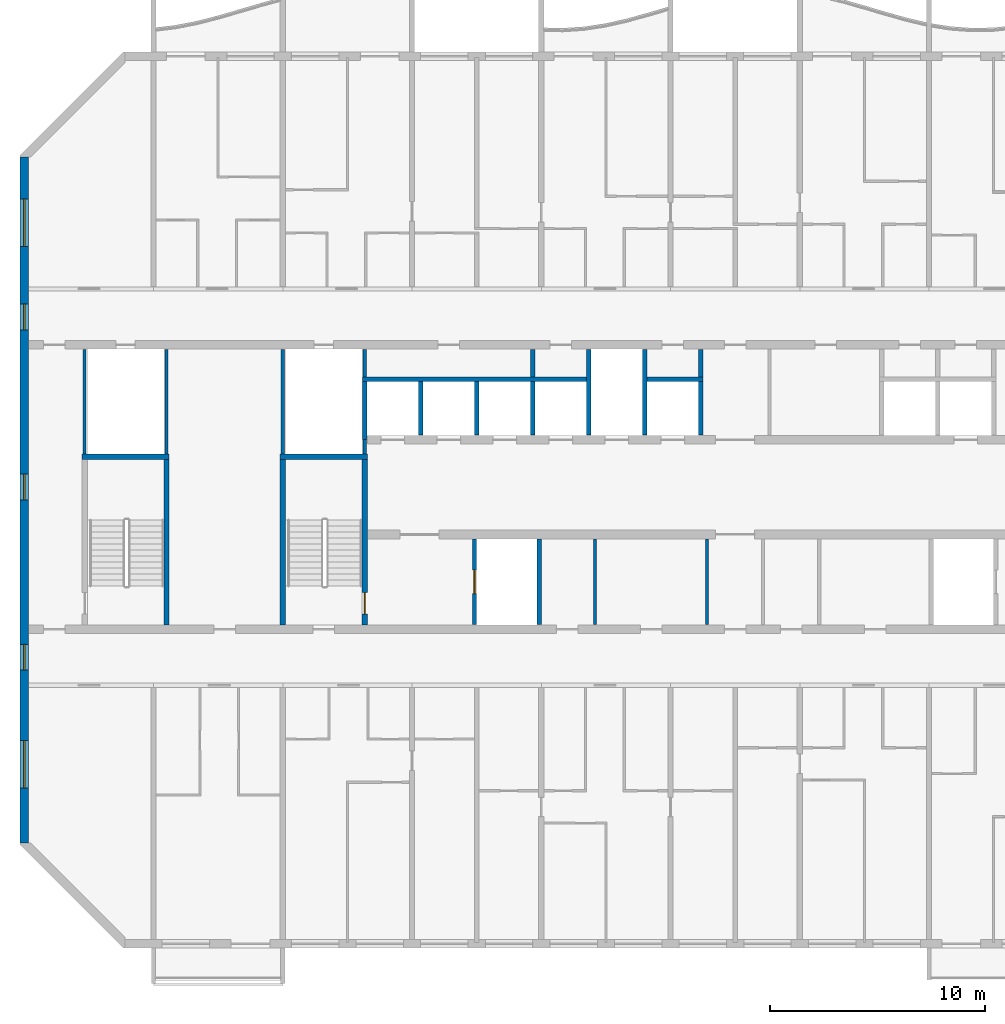
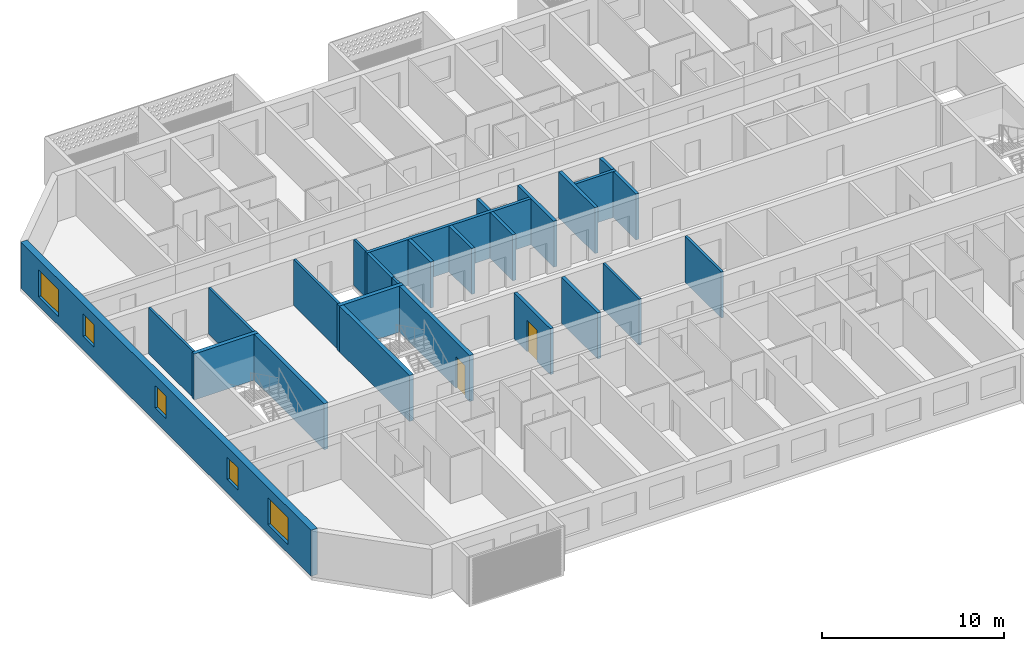
# One storey, part 3 of 28: 26 walls, 5 windows, 2 doors, 7 openings.
"""IFC4 building model written with IfcOpenShell, lengths in metres."""

from ifc_helpers import new_model, si_unit, direction, frame, frame_2d, origin, place, context, subcontext, project, spatial, rectangle, extrude, material, layer, layer_set, type_object, element, fill, save


model = new_model("IFC4")

# Units and contexts
model_context = context("Model", 3, precision=1e-05, world=origin(), true_north=direction((0.0, 1.0)))
body_context = subcontext(model_context, "Body", "Model", "MODEL_VIEW")
ifc_project = project(units=[si_unit("LENGTHUNIT", "METRE"), si_unit("AREAUNIT", "SQUARE_METRE"), si_unit("VOLUMEUNIT", "CUBIC_METRE"), si_unit("PLANEANGLEUNIT", "RADIAN"), si_unit("MASSUNIT", "GRAM", prefix="KILO")], contexts=[model_context])

# Site, building, storey
site_placement = place(None, origin())
site = spatial("IfcSite", under=ifc_project, at=site_placement, CompositionType="ELEMENT")
building_placement = place(site_placement, origin())
building = spatial("IfcBuilding", under=site, at=building_placement, Name="Poui Terraces", CompositionType="ELEMENT")
storey_placement = place(building_placement, frame((0.0, 0.0, 185.10009765625)))
storey = spatial("IfcBuildingStorey", under=building, at=storey_placement, Name="L51", CompositionType="ELEMENT", Elevation=185.10009765625)

# Wall
ifc_material_1 = material(Name="Fire-rated plasterboard wall")
ifc_layer_1 = layer(ifc_material_1, 0.14990234375)
ifc_layer_set_1 = layer_set([ifc_layer_1], Name="Fire-rated plasterboard wall")
wall_type_1 = type_object("IfcWallType", Name="CORRIDOR WALL 150", PredefinedType="PARTITIONING", material=ifc_layer_set_1)
wall_1_placement = place(storey_placement, frame((49.699951171875, 14.81005859375, 0.0), z_axis=(0.0, 0.0, 1.0), x_axis=(0.0, 1.0, 0.0)))
element("IfcWall", 1, at=wall_1_placement, inside=storey, type_object=wall_type_1, Name="CORRIDOR WALL 150", PredefinedType="PARTITIONING", context=body_context, shape_type="SweptSolid", body=[
    extrude(rectangle(XDim=3.97998046875, YDim=0.14990234375, at=frame_2d((1.989990234375, 0.0))), origin(), (0.0, 0.0, 1.0), 3.079833984375),
])

# Wall, openings, windows
ifc_material_2 = material(Name="Concrete 50 MPa", Category="concrete")
ifc_layer_2 = layer(ifc_material_2, 0.39990234375)
ifc_layer_set_2 = layer_set([ifc_layer_2], Name="Concrete 50 MPa")
wall_type_2 = type_object("IfcWallType", Name="END WALL 400 50MPa", PredefinedType="SHEAR", material=ifc_layer_set_2)
wall_2_placement = place(storey_placement, frame((18.0, 4.682861328125, 0.0), z_axis=(0.0, 0.0, 1.0), x_axis=(0.0, 1.0, 0.0)))
wall_2 = element("IfcWall", 2, at=wall_2_placement, inside=storey, type_object=wall_type_2, Name="END WALL WEST", PredefinedType="SHEAR", context=body_context, shape_type="SweptSolid", body=[
    extrude(rectangle(XDim=31.834228515625, YDim=0.39990234375, at=frame_2d((15.9169921875, 0.0))), origin(), (0.0, 0.0, 1.0), 3.079833984375),
])
opening_1_placement = place(wall_2_placement, frame((23.817138671875, 0.0, 0.89990234375)))
opening_1 = element("IfcOpeningElement", 3, at=opening_1_placement, cuts=wall_2, Name="Opening W2", PredefinedType="OPENING", context=body_context, shape_type="SweptSolid", body=[
    extrude(rectangle(XDim=1.199951171875, YDim=1.5, at=frame_2d((0.60009765625, 0.75))), frame((0.0, 0.2099609375, 0.0), z_axis=(0.0, -1.0, 0.0), x_axis=(1.0, 0.0, 0.0)), (0.0, 0.0, 1.0), 0.419921875),
])
opening_2_placement = place(wall_2_placement, frame((8.01708984375, 0.0, 0.89990234375)))
opening_2 = element("IfcOpeningElement", 4, at=opening_2_placement, cuts=wall_2, Name="Opening W2", PredefinedType="OPENING", context=body_context, shape_type="SweptSolid", body=[
    extrude(rectangle(XDim=1.199951171875, YDim=1.5, at=frame_2d((0.60009765625, 0.75))), frame((0.0, 0.2099609375, 0.0), z_axis=(0.0, -1.0, 0.0), x_axis=(1.0, 0.0, 0.0)), (0.0, 0.0, 1.0), 0.419921875),
])
opening_3_placement = place(wall_2_placement, frame((27.693603515625, 0.0, 0.60009765625)))
opening_3 = element("IfcOpeningElement", 5, at=opening_3_placement, cuts=wall_2, Name="Opening W3", PredefinedType="OPENING", context=body_context, shape_type="SweptSolid", body=[
    extrude(rectangle(XDim=2.199951171875, YDim=1.800048828125, at=frame_2d((1.10009765625, 0.89990234375))), frame((0.0, 0.2099609375, 0.0), z_axis=(0.0, -1.0, 0.0), x_axis=(1.0, 0.0, 0.0)), (0.0, 0.0, 1.0), 0.419921875),
])
opening_4_placement = place(wall_2_placement, frame((2.541015625, 0.0, 0.60009765625)))
opening_4 = element("IfcOpeningElement", 6, at=opening_4_placement, cuts=wall_2, Name="Opening W3", PredefinedType="OPENING", context=body_context, shape_type="SweptSolid", body=[
    extrude(rectangle(XDim=2.199951171875, YDim=1.800048828125, at=frame_2d((1.10009765625, 0.89990234375))), frame((0.0, 0.2099609375, 0.0), z_axis=(0.0, -1.0, 0.0), x_axis=(1.0, 0.0, 0.0)), (0.0, 0.0, 1.0), 0.419921875),
])
opening_5_placement = place(wall_2_placement, frame((15.917236328125, 0.0, 0.89990234375)))
opening_5 = element("IfcOpeningElement", 7, at=opening_5_placement, cuts=wall_2, Name="Opening W2", PredefinedType="OPENING", context=body_context, shape_type="SweptSolid", body=[
    extrude(rectangle(XDim=1.199951171875, YDim=1.5, at=frame_2d((0.60009765625, 0.75))), frame((0.0, 0.2099609375, 0.0), z_axis=(0.0, -1.0, 0.0), x_axis=(1.0, 0.0, 0.0)), (0.0, 0.0, 1.0), 0.419921875),
])
ifc_material_3 = material(Name="Clear glass in aluminium frame", Category="aluminium")
window_type_1 = type_object("IfcWindowType", Name="WINDOW 1200X1500", PartitioningType="SINGLE_PANEL", PredefinedType="WINDOW", material=ifc_material_3)
window_1_placement = place(opening_1_placement, origin())
window_1 = element("IfcWindow", 8, at=window_1_placement, inside=storey, type_object=window_type_1, Name="W2 WINDOW", OverallHeight=1.5, OverallWidth=1.199951171875, PartitioningType="SINGLE_PANEL", PredefinedType="WINDOW", context=body_context, shape_type="SweptSolid", body=[
    extrude(rectangle(XDim=1.199951171875, YDim=1.5, at=frame_2d((0.60009765625, 0.75))), frame((0.0, 0.030029296875, 0.0), z_axis=(0.0, -1.0, 0.0), x_axis=(1.0, 0.0, 0.0)), (0.0, 0.0, 1.0), 0.06005859375),
])
fill(opening_1, window_1)
window_2_placement = place(opening_2_placement, origin())
window_2 = element("IfcWindow", 9, at=window_2_placement, inside=storey, type_object=window_type_1, Name="W2 WINDOW", OverallHeight=1.5, OverallWidth=1.199951171875, PartitioningType="SINGLE_PANEL", PredefinedType="WINDOW", context=body_context, shape_type="SweptSolid", body=[
    extrude(rectangle(XDim=1.199951171875, YDim=1.5, at=frame_2d((0.60009765625, 0.75))), frame((0.0, 0.030029296875, 0.0), z_axis=(0.0, -1.0, 0.0), x_axis=(1.0, 0.0, 0.0)), (0.0, 0.0, 1.0), 0.06005859375),
])
fill(opening_2, window_2)
window_3_placement = place(opening_5_placement, origin())
window_3 = element("IfcWindow", 10, at=window_3_placement, inside=storey, type_object=window_type_1, Name="W2 WINDOW", OverallHeight=1.5, OverallWidth=1.199951171875, PartitioningType="SINGLE_PANEL", PredefinedType="WINDOW", context=body_context, shape_type="SweptSolid", body=[
    extrude(rectangle(XDim=1.199951171875, YDim=1.5, at=frame_2d((0.60009765625, 0.75))), frame((0.0, 0.030029296875, 0.0), z_axis=(0.0, -1.0, 0.0), x_axis=(1.0, 0.0, 0.0)), (0.0, 0.0, 1.0), 0.06005859375),
])
fill(opening_5, window_3)
window_type_2 = type_object("IfcWindowType", Name="WINDOW 2200X1800", PartitioningType="DOUBLE_PANEL_HORIZONTAL", PredefinedType="WINDOW", material=ifc_material_3)
window_4_placement = place(opening_3_placement, origin())
window_4 = element("IfcWindow", 11, at=window_4_placement, inside=storey, type_object=window_type_2, Name="W3 WINDOW", OverallHeight=1.800048828125, OverallWidth=2.199951171875, PartitioningType="DOUBLE_PANEL_HORIZONTAL", PredefinedType="WINDOW", context=body_context, shape_type="SweptSolid", body=[
    extrude(rectangle(XDim=2.199951171875, YDim=1.800048828125, at=frame_2d((1.10009765625, 0.89990234375))), frame((0.0, 0.030029296875, 0.0), z_axis=(0.0, -1.0, 0.0), x_axis=(1.0, 0.0, 0.0)), (0.0, 0.0, 1.0), 0.06005859375),
])
fill(opening_3, window_4)
window_5_placement = place(opening_4_placement, origin())
window_5 = element("IfcWindow", 12, at=window_5_placement, inside=storey, type_object=window_type_2, Name="W3 WINDOW", OverallHeight=1.800048828125, OverallWidth=2.199951171875, PartitioningType="DOUBLE_PANEL_HORIZONTAL", PredefinedType="WINDOW", context=body_context, shape_type="SweptSolid", body=[
    extrude(rectangle(XDim=2.199951171875, YDim=1.800048828125, at=frame_2d((1.10009765625, 0.89990234375))), frame((0.0, 0.030029296875, 0.0), z_axis=(0.0, -1.0, 0.0), x_axis=(1.0, 0.0, 0.0)), (0.0, 0.0, 1.0), 0.06005859375),
])
fill(opening_4, window_5)

# Walls
ifc_material_4 = material(Name="Plasterboard partition")
ifc_layer_3 = layer(ifc_material_4, 0.14990234375)
ifc_layer_set_3 = layer_set([ifc_layer_3], Name="Plasterboard partition")
wall_type_3 = type_object("IfcWallType", Name="PARTITION WALL 150", PredefinedType="PARTITIONING", material=ifc_layer_set_3)
wall_3_placement = place(storey_placement, frame((44.5, 14.81005859375, 0.0), z_axis=(0.0, 0.0, 1.0), x_axis=(0.0, 1.0, 0.0)))
element("IfcWall", 13, at=wall_3_placement, inside=storey, type_object=wall_type_3, Name="PARTITION WALL 150", PredefinedType="PARTITIONING", context=body_context, shape_type="SweptSolid", body=[
    extrude(rectangle(XDim=3.97998046875, YDim=0.14990234375, at=frame_2d((1.989990234375, 0.0))), origin(), (0.0, 0.0, 1.0), 3.079833984375),
])
ifc_material_5 = material(Name="Fire-rated masonry wall", Category="masonry")
ifc_layer_4 = layer(ifc_material_5, 0.199951171875)
ifc_layer_set_4 = layer_set([ifc_layer_4], Name="Fire-rated masonry wall")
wall_type_4 = type_object("IfcWallType", Name="PLANT ROOM WALL 200", PredefinedType="PARTITIONING", material=ifc_layer_set_4)
for number, where, z_axis, x_axis, name in (
    (14, (41.60009765625, 26.300048828125, 0.0), (0.0, 0.0, 1.0), (0.0, 1.0, 0.0), "PLANT ROOM WALL 200"),
    (15, (49.39990234375, 26.300048828125, 0.0), (0.0, 0.0, 1.0), (0.0, 1.0, 0.0), "PLANT ROOM WALL 200"),
):
    element("IfcWall", number, at=place(storey_placement, frame(where, z_axis=z_axis, x_axis=x_axis)), inside=storey, type_object=wall_type_4, Name=name, PredefinedType="PARTITIONING", context=body_context, shape_type="SweptSolid", body=[
        extrude(rectangle(XDim=1.2900390625, YDim=0.199951171875, at=frame_2d((0.64501953125, 0.0))), origin(), (0.0, 0.0, 1.0), 3.079833984375),
    ])
ifc_material_6 = material(Name="Fire-rated plasterboard riser wall")
ifc_layer_5 = layer(ifc_material_6, 0.14990234375)
ifc_layer_set_5 = layer_set([ifc_layer_5], Name="Fire-rated plasterboard riser wall")
wall_type_5 = type_object("IfcWallType", Name="RISER WALL 150", PredefinedType="PARTITIONING", material=ifc_layer_set_5)
for number, where, z_axis, x_axis, name in (
    (16, (20.800048828125, 22.735107421875, 0.0), (0.0, 0.0, 1.0), (0.0, 1.0, 0.0), "RISER WALL 150"),
    (17, (24.60009765625, 22.735107421875, 0.0), (0.0, 0.0, 1.0), (0.0, 1.0, 0.0), "RISER WALL 150"),
    (18, (30.0, 22.735107421875, 0.0), (0.0, 0.0, 1.0), (0.0, 1.0, 0.0), "RISER WALL 150"),
):
    element("IfcWall", number, at=place(storey_placement, frame(where, z_axis=z_axis, x_axis=x_axis)), inside=storey, type_object=wall_type_5, Name=name, PredefinedType="PARTITIONING", context=body_context, shape_type="SweptSolid", body=[
        extrude(rectangle(XDim=4.85498046875, YDim=0.14990234375, at=frame_2d((2.427490234375, 0.0))), origin(), (0.0, 0.0, 1.0), 3.079833984375),
    ])
wall_4_placement = place(storey_placement, frame((33.800048828125, 22.735107421875, 0.0), z_axis=(0.0, 0.0, 1.0), x_axis=(0.0, 1.0, 0.0)))
element("IfcWall", 19, at=wall_4_placement, inside=storey, type_object=wall_type_5, Name="RISER WALL 150", PredefinedType="PARTITIONING", context=body_context, shape_type="SweptSolid", body=[
    extrude(rectangle(XDim=0.664794921875, YDim=0.14990234375, at=frame_2d((0.33251953125, 0.0))), origin(), (0.0, 0.0, 1.0), 3.079833984375),
])
wall_5_placement = place(storey_placement, frame((33.800048828125, 26.300048828125, 0.0), z_axis=(0.0, 0.0, 1.0), x_axis=(0.0, 1.0, 0.0)))
element("IfcWall", 20, at=wall_5_placement, inside=storey, type_object=wall_type_5, Name="RISER WALL 150", PredefinedType="PARTITIONING", context=body_context, shape_type="SweptSolid", body=[
    extrude(rectangle(XDim=1.2900390625, YDim=0.14990234375, at=frame_2d((0.64501953125, 0.0))), origin(), (0.0, 0.0, 1.0), 3.079833984375),
])
ifc_material_7 = material(Name="Fire-rated masonry shaft wall", Category="masonry")
ifc_layer_6 = layer(ifc_material_7, 0.199951171875)
ifc_layer_set_6 = layer_set([ifc_layer_6], Name="Fire-rated masonry shaft wall")
wall_type_6 = type_object("IfcWallType", Name="SHAFT WALL 200", PredefinedType="PARTITIONING", material=ifc_layer_set_6)
wall_6_placement = place(storey_placement, frame((33.699951171875, 26.199951171875, 0.0), z_axis=(0.0, 0.0, 1.0), x_axis=(1.0, 0.0, 0.0)))
element("IfcWall", 21, at=wall_6_placement, inside=storey, type_object=wall_type_6, Name="SHAFT WALL 200", PredefinedType="PARTITIONING", context=body_context, shape_type="SweptSolid", body=[
    extrude(rectangle(XDim=10.400146484375, YDim=0.199951171875, at=frame_2d((5.2001953125, 0.0))), origin(), (0.0, 0.0, 1.0), 3.079833984375),
])
wall_7_placement = place(storey_placement, frame((46.89990234375, 26.199951171875, 0.0), z_axis=(0.0, 0.0, 1.0), x_axis=(1.0, 0.0, 0.0)))
element("IfcWall", 22, at=wall_7_placement, inside=storey, type_object=wall_type_6, Name="SHAFT WALL 200", PredefinedType="PARTITIONING", context=body_context, shape_type="SweptSolid", body=[
    extrude(rectangle(XDim=2.60009765625, YDim=0.199951171875, at=frame_2d((1.300048828125, 0.0))), origin(), (0.0, 0.0, 1.0), 3.079833984375),
])
wall_8_placement = place(storey_placement, frame((33.800048828125, 23.39990234375, 0.0), z_axis=(0.0, 0.0, 1.0), x_axis=(0.0, 1.0, 0.0)))
element("IfcWall", 23, at=wall_8_placement, inside=storey, type_object=wall_type_6, Name="SHAFT WALL 200", PredefinedType="PARTITIONING", context=body_context, shape_type="SweptSolid", body=[
    extrude(rectangle(XDim=2.7001953125, YDim=0.199951171875, at=frame_2d((1.35009765625, 0.0))), origin(), (0.0, 0.0, 1.0), 3.079833984375),
])
wall_9_placement = place(storey_placement, frame((36.39990234375, 23.610107421875, 0.0), z_axis=(0.0, 0.0, 1.0), x_axis=(0.0, 1.0, 0.0)))
element("IfcWall", 24, at=wall_9_placement, inside=storey, type_object=wall_type_6, Name="SHAFT WALL 200", PredefinedType="PARTITIONING", context=body_context, shape_type="SweptSolid", body=[
    extrude(rectangle(XDim=2.489990234375, YDim=0.199951171875, at=frame_2d((1.2451171875, 0.0))), origin(), (0.0, 0.0, 1.0), 3.079833984375),
])

# Wall, opening, door
wall_10_placement = place(storey_placement, frame((38.89990234375, 14.81005859375, 0.0), z_axis=(0.0, 0.0, 1.0), x_axis=(0.0, 1.0, 0.0)))
wall_10 = element("IfcWall", 25, at=wall_10_placement, inside=storey, type_object=wall_type_6, Name="SHAFT WALL 200", PredefinedType="PARTITIONING", context=body_context, shape_type="SweptSolid", body=[
    extrude(rectangle(XDim=3.97998046875, YDim=0.199951171875, at=frame_2d((1.989990234375, 0.0))), origin(), (0.0, 0.0, 1.0), 3.079833984375),
])
opening_6_placement = place(wall_10_placement, frame((1.43994140625, 0.0, 0.0)))
opening_6 = element("IfcOpeningElement", 26, at=opening_6_placement, cuts=wall_10, Name="Opening LD", PredefinedType="OPENING", context=body_context, shape_type="SweptSolid", body=[
    extrude(rectangle(XDim=1.10009765625, YDim=2.10009765625, at=frame_2d((0.550048828125, 1.050048828125))), frame((0.0, 0.10986328125, 0.0), z_axis=(0.0, -1.0, 0.0), x_axis=(1.0, 0.0, 0.0)), (0.0, 0.0, 1.0), 0.219970703125),
])
ifc_material_8 = material(Name="Stainless steel sliding door", Category="steel")
door_type_1 = type_object("IfcDoorType", Name="LIFT LANDING DOOR 1100 X 2100", OperationType="DOUBLE_DOOR_SLIDING", PredefinedType="DOOR", material=ifc_material_8)
door_1_placement = place(opening_6_placement, origin())
door_1 = element("IfcDoor", 27, at=door_1_placement, inside=storey, type_object=door_type_1, Name="LANDING DOOR", OperationType="DOUBLE_DOOR_SLIDING", OverallHeight=2.10009765625, OverallWidth=1.10009765625, PredefinedType="DOOR", context=body_context, shape_type="SweptSolid", body=[
    extrude(rectangle(XDim=1.10009765625, YDim=2.10009765625, at=frame_2d((0.550048828125, 1.050048828125))), frame((0.0, 0.02490234375, 0.0), z_axis=(0.0, -1.0, 0.0), x_axis=(1.0, 0.0, 0.0)), (0.0, 0.0, 1.0), 0.050048828125),
])
fill(opening_6, door_1)

# Walls
for number, where, z_axis, x_axis, name in (
    (28, (39.0, 23.610107421875, 0.0), (0.0, 0.0, 1.0), (0.0, 1.0, 0.0), "SHAFT WALL 200"),
    (29, (41.60009765625, 23.610107421875, 0.0), (0.0, 0.0, 1.0), (0.0, 1.0, 0.0), "SHAFT WALL 200"),
):
    element("IfcWall", number, at=place(storey_placement, frame(where, z_axis=z_axis, x_axis=x_axis)), inside=storey, type_object=wall_type_6, Name=name, PredefinedType="PARTITIONING", context=body_context, shape_type="SweptSolid", body=[
        extrude(rectangle(XDim=2.489990234375, YDim=0.199951171875, at=frame_2d((1.2451171875, 0.0))), origin(), (0.0, 0.0, 1.0), 3.079833984375),
    ])
for number, where, z_axis, x_axis, name in (
    (30, (41.89990234375, 14.81005859375, 0.0), (0.0, 0.0, 1.0), (0.0, 1.0, 0.0), "SHAFT WALL 200"),
    (31, (44.199951171875, 23.610107421875, 0.0), (0.0, 0.0, 1.0), (0.0, 1.0, 0.0), "SHAFT WALL 200"),
    (32, (46.800048828125, 23.610107421875, 0.0), (0.0, 0.0, 1.0), (0.0, 1.0, 0.0), "SHAFT WALL 200"),
):
    element("IfcWall", number, at=place(storey_placement, frame(where, z_axis=z_axis, x_axis=x_axis)), inside=storey, type_object=wall_type_6, Name=name, PredefinedType="PARTITIONING", context=body_context, shape_type="SweptSolid", body=[
        extrude(rectangle(XDim=3.97998046875, YDim=0.199951171875, at=frame_2d((1.989990234375, 0.0))), origin(), (0.0, 0.0, 1.0), 3.079833984375),
    ])
wall_11_placement = place(storey_placement, frame((49.39990234375, 23.610107421875, 0.0), z_axis=(0.0, 0.0, 1.0), x_axis=(0.0, 1.0, 0.0)))
element("IfcWall", 33, at=wall_11_placement, inside=storey, type_object=wall_type_6, Name="SHAFT WALL 200", PredefinedType="PARTITIONING", context=body_context, shape_type="SweptSolid", body=[
    extrude(rectangle(XDim=2.489990234375, YDim=0.199951171875, at=frame_2d((1.2451171875, 0.0))), origin(), (0.0, 0.0, 1.0), 3.079833984375),
])
ifc_layer_7 = layer(ifc_material_2, 0.25)
ifc_layer_set_7 = layer_set([ifc_layer_7], Name="Concrete 50 MPa")
wall_type_7 = type_object("IfcWallType", Name="STAIR CORE WALL 250 50 MPA", PredefinedType="SOLIDWALL", material=ifc_layer_set_7)
wall_12_placement = place(storey_placement, frame((30.0, 14.800048828125, 0.0), z_axis=(0.0, 0.0, 1.0), x_axis=(0.0, 1.0, 0.0)))
element("IfcWall", 34, at=wall_12_placement, inside=storey, type_object=wall_type_7, Name="STAIR CORE WALL", PredefinedType="SOLIDWALL", context=body_context, shape_type="SweptSolid", body=[
    extrude(rectangle(XDim=7.675048828125, YDim=0.25, at=frame_2d((3.83740234375, 0.0))), origin(), (0.0, 0.0, 1.0), 3.079833984375),
])

# Wall, opening, door
wall_13_placement = place(storey_placement, frame((33.800048828125, 14.800048828125, 0.0), z_axis=(0.0, 0.0, 1.0), x_axis=(0.0, 1.0, 0.0)))
wall_13 = element("IfcWall", 35, at=wall_13_placement, inside=storey, type_object=wall_type_7, Name="STAIR CORE WALL", PredefinedType="SOLIDWALL", context=body_context, shape_type="SweptSolid", body=[
    extrude(rectangle(XDim=7.675048828125, YDim=0.25, at=frame_2d((3.83740234375, 0.0))), origin(), (0.0, 0.0, 1.0), 3.079833984375),
])
opening_7_placement = place(wall_13_placement, frame((0.5, 0.0, 0.0)))
opening_7 = element("IfcOpeningElement", 36, at=opening_7_placement, cuts=wall_13, Name="Opening FD60S", PredefinedType="OPENING", context=body_context, shape_type="SweptSolid", body=[
    extrude(rectangle(XDim=1.0, YDim=2.10009765625, at=frame_2d((0.5, 1.050048828125))), frame((0.0, 0.135009765625, 0.0), z_axis=(0.0, -1.0, 0.0), x_axis=(1.0, 0.0, 0.0)), (0.0, 0.0, 1.0), 0.27001953125),
])
ifc_material_9 = material(Name="Steel fire door", Category="steel")
door_type_2 = type_object("IfcDoorType", Name="STAIR DOOR 1000 X 2100", OperationType="NOTDEFINED", PredefinedType="DOOR", material=ifc_material_9)
door_2_placement = place(opening_7_placement, origin())
door_2 = element("IfcDoor", 37, at=door_2_placement, inside=storey, type_object=door_type_2, Name="STAIR DOOR 104", OperationType="SINGLE_SWING_LEFT", OverallHeight=2.10009765625, OverallWidth=1.0, PredefinedType="DOOR", context=body_context, shape_type="SweptSolid", body=[
    extrude(rectangle(XDim=1.0, YDim=2.10009765625, at=frame_2d((0.5, 1.050048828125))), frame((0.0, 0.02490234375, 0.0), z_axis=(0.0, -1.0, 0.0), x_axis=(1.0, 0.0, 0.0)), (0.0, 0.0, 1.0), 0.050048828125),
])
fill(opening_7, door_2)

# Walls
wall_14_placement = place(storey_placement, frame((29.875, 22.60009765625, 0.0), z_axis=(0.0, 0.0, 1.0), x_axis=(1.0, 0.0, 0.0)))
element("IfcWall", 38, at=wall_14_placement, inside=storey, type_object=wall_type_7, Name="STAIR CORE WALL", PredefinedType="SOLIDWALL", context=body_context, shape_type="SweptSolid", body=[
    extrude(rectangle(XDim=4.050048828125, YDim=0.25, at=frame_2d((2.02490234375, 0.0))), origin(), (0.0, 0.0, 1.0), 3.079833984375),
])
wall_15_placement = place(storey_placement, frame((24.60009765625, 14.800048828125, 0.0), z_axis=(0.0, 0.0, 1.0), x_axis=(0.0, 1.0, 0.0)))
element("IfcWall", 39, at=wall_15_placement, inside=storey, type_object=wall_type_7, Name="STAIR CORE WALL", PredefinedType="SOLIDWALL", context=body_context, shape_type="SweptSolid", body=[
    extrude(rectangle(XDim=7.675048828125, YDim=0.25, at=frame_2d((3.83740234375, 0.0))), origin(), (0.0, 0.0, 1.0), 3.079833984375),
])
wall_16_placement = place(storey_placement, frame((20.675048828125, 22.60009765625, 0.0), z_axis=(0.0, 0.0, 1.0), x_axis=(1.0, 0.0, 0.0)))
element("IfcWall", 40, at=wall_16_placement, inside=storey, type_object=wall_type_7, Name="STAIR CORE WALL", PredefinedType="SOLIDWALL", context=body_context, shape_type="SweptSolid", body=[
    extrude(rectangle(XDim=4.050048828125, YDim=0.25, at=frame_2d((2.02490234375, 0.0))), origin(), (0.0, 0.0, 1.0), 3.079833984375),
])

save(model, "model.ifc")
